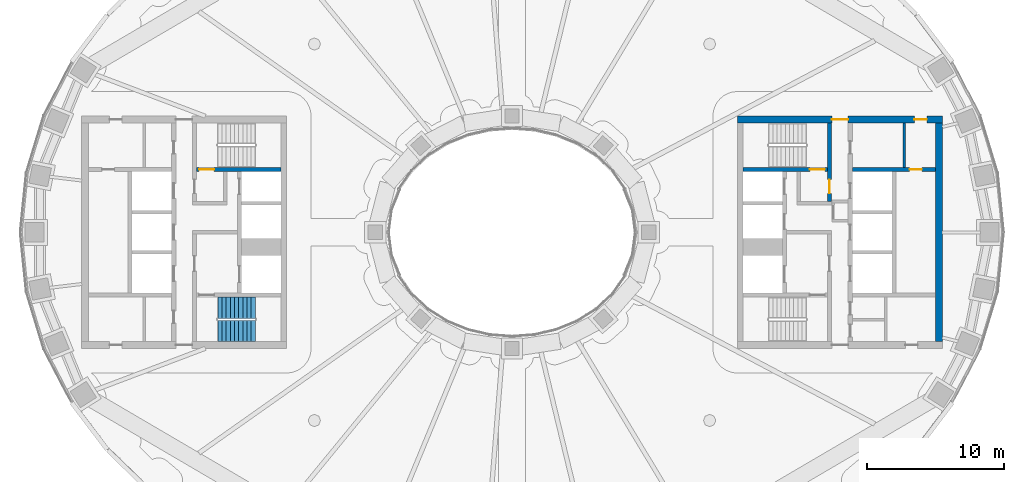
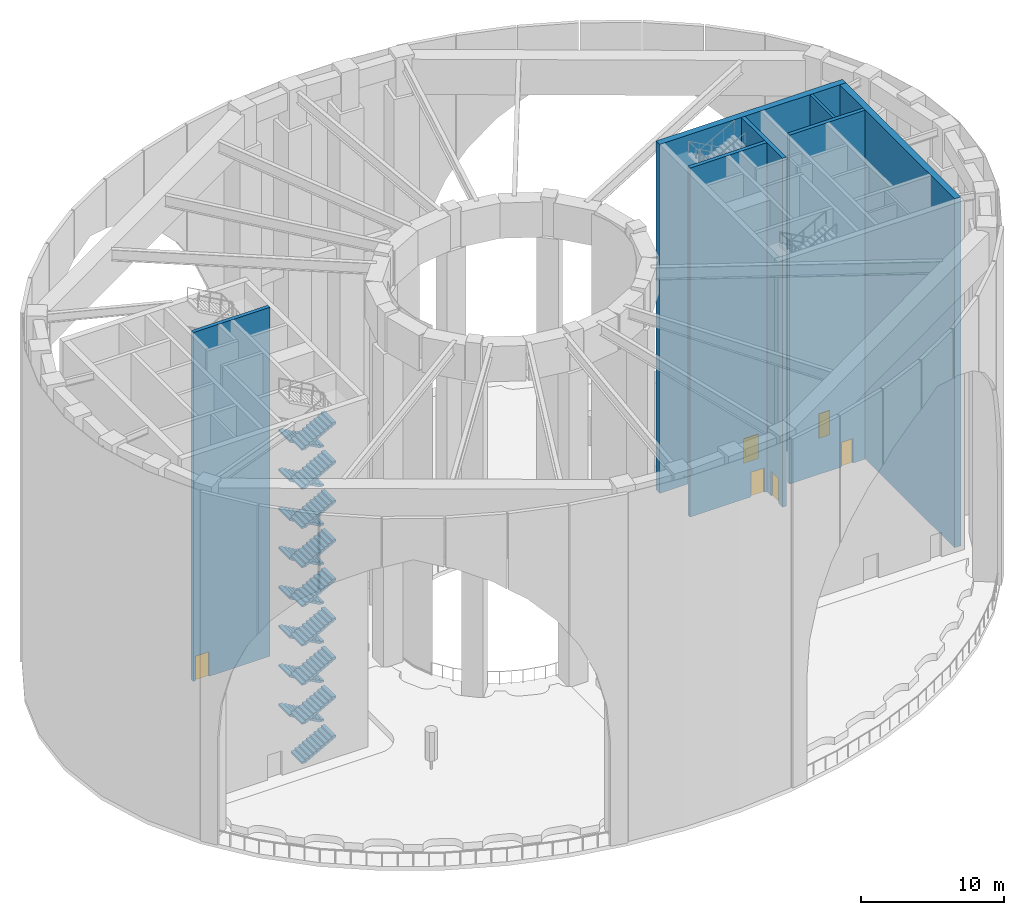
# One storey, part 5 of 26: 17 stair flights, 7 walls, 6 doors, 6 openings, 1 element without a shape of its own.
"""IFC4 building model written with IfcOpenShell, lengths in metres."""

from ifc_helpers import new_model, si_unit, direction, frame, frame_2d, origin, place, context, subcontext, project, spatial, polyline, rectangle, outline, extrude, material, layer, layer_set, type_object, element, fill, aggregate, save


model = new_model("IFC4")

# Units and contexts
model_context = context("Model", 3, precision=1e-05, world=origin(), true_north=direction((0.0, 1.0)))
body_context = subcontext(model_context, "Body", "Model", "MODEL_VIEW")
ifc_project = project(units=[si_unit("LENGTHUNIT", "METRE"), si_unit("AREAUNIT", "SQUARE_METRE"), si_unit("VOLUMEUNIT", "CUBIC_METRE"), si_unit("PLANEANGLEUNIT", "RADIAN"), si_unit("MASSUNIT", "GRAM", prefix="KILO")], contexts=[model_context])

# Site, building, storey
site_placement = place(None, origin())
site = spatial("IfcSite", under=ifc_project, at=site_placement, CompositionType="ELEMENT")
building_placement = place(site_placement, origin())
building = spatial("IfcBuilding", under=site, at=building_placement, Name="Noorbagh Ring Tower", CompositionType="ELEMENT")
storey_placement = place(building_placement, frame((0.0, 0.0, 203.5)))
storey = spatial("IfcBuildingStorey", under=building, at=storey_placement, Name="L47", CompositionType="ELEMENT", Elevation=203.5)

# Wall
ifc_material_1 = material(Name="Gypsum board on steel studs", Category="steel")
ifc_layer_1 = layer(ifc_material_1, 0.199951171875)
ifc_layer_set_1 = layer_set([ifc_layer_1], Name="Gypsum board on steel studs")
wall_type_1 = type_object("IfcWallType", Name="CORE-PARTITION-200", PredefinedType="PARTITIONING", material=ifc_layer_set_1)
wall_1_placement = place(storey_placement, frame((28.699951171875, 4.75, 0.0), z_axis=(0.0, 0.0, 1.0), x_axis=(0.0, 1.0, 0.0)))
element("IfcWall", 1, at=wall_1_placement, inside=storey, type_object=wall_type_1, Name="Core partition E", PredefinedType="PARTITIONING", context=body_context, shape_type="SweptSolid", body=[
    extrude(rectangle(XDim=3.25, YDim=0.199951171875, at=frame_2d((1.625, 0.0))), origin(), (0.0, 0.0, 1.0), 29.699951171875),
])

# Wall, opening, door
ifc_material_2 = material(Name="Concrete C60/75", Category="concrete")
ifc_layer_2 = layer(ifc_material_2, 0.300048828125)
ifc_layer_set_2 = layer_set([ifc_layer_2], Name="Concrete C60/75")
wall_type_2 = type_object("IfcWallType", Name="CORE-WALL-300-C60-75-EI240", PredefinedType="SHEAR", material=ifc_layer_set_2)
wall_2_placement = place(storey_placement, frame((-16.89990234375, 4.60009765625, 0.0), z_axis=(0.0, 0.0, 1.0), x_axis=(-1.0, 0.0, 0.0)))
wall_2 = element("IfcWall", 2, at=wall_2_placement, inside=storey, type_object=wall_type_2, Name="Core wall W", PredefinedType="SHEAR", context=body_context, shape_type="SweptSolid", body=[
    extrude(rectangle(XDim=6.18017578125, YDim=0.300048828125, at=frame_2d((3.090087890625, 0.0))), origin(), (0.0, 0.0, 1.0), 29.699951171875),
])
opening_1_placement = place(wall_2_placement, frame((4.89990234375, 0.0, 0.0)))
opening_1 = element("IfcOpeningElement", 3, at=opening_1_placement, cuts=wall_2, Name="Opening L47-CW06", PredefinedType="OPENING", context=body_context, shape_type="SweptSolid", body=[
    extrude(rectangle(XDim=1.10009765625, YDim=2.10009765625, at=frame_2d((0.550048828125, 1.050048828125))), frame((0.0, 0.16015625, 0.0), z_axis=(0.0, -1.0, 0.0), x_axis=(1.0, 0.0, 0.0)), (0.0, 0.0, 1.0), 0.320068359375),
])
ifc_material_3 = material(Name="Steel door leaf", Category="steel")
door_type_1 = type_object("IfcDoorType", Name="CORE-DOOR-DSTAIR", OperationType="SINGLE_SWING_LEFT", PredefinedType="DOOR", material=ifc_material_3)
door_1_placement = place(opening_1_placement, origin())
door_1 = element("IfcDoor", 4, at=door_1_placement, inside=storey, type_object=door_type_1, Name="Stair door ST1 L47-CW06", OperationType="SINGLE_SWING_RIGHT", OverallHeight=2.10009765625, OverallWidth=1.10009765625, PredefinedType="DOOR", context=body_context, shape_type="SweptSolid", body=[
    extrude(rectangle(XDim=1.10009765625, YDim=2.10009765625, at=frame_2d((0.550048828125, 1.050048828125))), frame((0.0, 0.02490234375, 0.0), z_axis=(0.0, -1.0, 0.0), x_axis=(1.0, 0.0, 0.0)), (0.0, 0.0, 1.0), 0.050048828125),
])
fill(opening_1, door_1)

wall_3_placement = place(storey_placement, frame((24.89990234375, 4.60009765625, 0.0), z_axis=(0.0, 0.0, 1.0), x_axis=(1.0, 0.0, 0.0)))
wall_3 = element("IfcWall", 5, at=wall_3_placement, inside=storey, type_object=wall_type_2, Name="Core wall E", PredefinedType="SHEAR", context=body_context, shape_type="SweptSolid", body=[
    extrude(rectangle(XDim=6.10009765625, YDim=0.300048828125, at=frame_2d((3.050048828125, 0.0))), origin(), (0.0, 0.0, 1.0), 29.699951171875),
])
opening_2_placement = place(wall_3_placement, frame((4.199951171875, 0.0, 0.0)))
opening_2 = element("IfcOpeningElement", 6, at=opening_2_placement, cuts=wall_3, Name="Opening L47-CE19", PredefinedType="OPENING", context=body_context, shape_type="SweptSolid", body=[
    extrude(rectangle(XDim=0.89990234375, YDim=2.10009765625, at=frame_2d((0.449951171875, 1.050048828125))), frame((0.0, 0.16015625, 0.0), z_axis=(0.0, -1.0, 0.0), x_axis=(1.0, 0.0, 0.0)), (0.0, 0.0, 1.0), 0.320068359375),
])
ifc_material_4 = material(Name="Steel door leaf", Category="steel")
door_type_2 = type_object("IfcDoorType", Name="CORE-DOOR-DROOM", OperationType="SINGLE_SWING_LEFT", PredefinedType="DOOR", material=ifc_material_4)
door_2_placement = place(opening_2_placement, origin())
door_2 = element("IfcDoor", 7, at=door_2_placement, inside=storey, type_object=door_type_2, Name="Core room door L47-CE19", OperationType="SINGLE_SWING_RIGHT", OverallHeight=2.10009765625, OverallWidth=0.89990234375, PredefinedType="DOOR", context=body_context, shape_type="SweptSolid", body=[
    extrude(rectangle(XDim=0.89990234375, YDim=2.10009765625, at=frame_2d((0.449951171875, 1.050048828125))), frame((0.0, 0.02490234375, 0.0), z_axis=(0.0, -1.0, 0.0), x_axis=(1.0, 0.0, 0.0)), (0.0, 0.0, 1.0), 0.050048828125),
])
fill(opening_2, door_2)

wall_4_placement = place(storey_placement, frame((23.22998046875, 2.25, 0.0), z_axis=(0.0, 0.0, 1.0), x_axis=(0.0, 1.0, 0.0)))
wall_4 = element("IfcWall", 8, at=wall_4_placement, inside=storey, type_object=wall_type_2, Name="Core wall E", PredefinedType="SHEAR", context=body_context, shape_type="SweptSolid", body=[
    extrude(rectangle(XDim=5.75, YDim=0.300048828125, at=frame_2d((2.875, 0.0))), origin(), (0.0, 0.0, 1.0), 29.699951171875),
])
opening_3_placement = place(wall_4_placement, frame((0.60009765625, 0.0, 0.0)))
opening_3 = element("IfcOpeningElement", 9, at=opening_3_placement, cuts=wall_4, Name="Opening L47-CE10", PredefinedType="OPENING", context=body_context, shape_type="SweptSolid", body=[
    extrude(rectangle(XDim=1.0, YDim=2.10009765625, at=frame_2d((0.5, 1.050048828125))), frame((0.0, 0.16015625, 0.0), z_axis=(0.0, -1.0, 0.0), x_axis=(1.0, 0.0, 0.0)), (0.0, 0.0, 1.0), 0.320068359375),
])
ifc_material_5 = material(Name="Steel door leaf", Category="steel")
door_type_3 = type_object("IfcDoorType", Name="CORE-DOOR-DVEST", OperationType="SINGLE_SWING_LEFT", PredefinedType="DOOR", material=ifc_material_5)
door_3_placement = place(opening_3_placement, origin())
door_3 = element("IfcDoor", 10, at=door_3_placement, inside=storey, type_object=door_type_3, Name="Stair vestibule door L47-CE10", OperationType="SINGLE_SWING_RIGHT", OverallHeight=2.10009765625, OverallWidth=1.0, PredefinedType="DOOR", context=body_context, shape_type="SweptSolid", body=[
    extrude(rectangle(XDim=1.0, YDim=2.10009765625, at=frame_2d((0.5, 1.050048828125))), frame((0.0, 0.02490234375, 0.0), z_axis=(0.0, -1.0, 0.0), x_axis=(1.0, 0.0, 0.0)), (0.0, 0.0, 1.0), 0.050048828125),
])
fill(opening_3, door_3)

wall_5_placement = place(storey_placement, frame((16.89990234375, 4.60009765625, 0.0), z_axis=(0.0, 0.0, 1.0), x_axis=(1.0, 0.0, 0.0)))
wall_5 = element("IfcWall", 11, at=wall_5_placement, inside=storey, type_object=wall_type_2, Name="Core wall E", PredefinedType="SHEAR", context=body_context, shape_type="SweptSolid", body=[
    extrude(rectangle(XDim=6.18017578125, YDim=0.300048828125, at=frame_2d((3.090087890625, 0.0))), origin(), (0.0, 0.0, 1.0), 29.699951171875),
])
opening_4_placement = place(wall_5_placement, frame((4.89990234375, 0.0, 0.0)))
opening_4 = element("IfcOpeningElement", 12, at=opening_4_placement, cuts=wall_5, Name="Opening L47-CE07", PredefinedType="OPENING", context=body_context, shape_type="SweptSolid", body=[
    extrude(rectangle(XDim=1.10009765625, YDim=2.10009765625, at=frame_2d((0.550048828125, 1.050048828125))), frame((0.0, 0.16015625, 0.0), z_axis=(0.0, -1.0, 0.0), x_axis=(1.0, 0.0, 0.0)), (0.0, 0.0, 1.0), 0.320068359375),
])
door_4_placement = place(opening_4_placement, origin())
door_4 = element("IfcDoor", 13, at=door_4_placement, inside=storey, type_object=door_type_1, Name="Stair door ST3 L47-CE07", OperationType="SINGLE_SWING_LEFT", OverallHeight=2.10009765625, OverallWidth=1.10009765625, PredefinedType="DOOR", context=body_context, shape_type="SweptSolid", body=[
    extrude(rectangle(XDim=1.10009765625, YDim=2.10009765625, at=frame_2d((0.550048828125, 1.050048828125))), frame((0.0, 0.02490234375, 0.0), z_axis=(0.0, -1.0, 0.0), x_axis=(1.0, 0.0, 0.0)), (0.0, 0.0, 1.0), 0.050048828125),
])
fill(opening_4, door_4)

# Wall, openings, doors
ifc_material_6 = material(Name="Concrete C60/75", Category="concrete")
ifc_layer_3 = layer(ifc_material_6, 0.5)
ifc_layer_set_3 = layer_set([ifc_layer_3], Name="Concrete C60/75")
wall_type_3 = type_object("IfcWallType", Name="CORE-WALL-500-C60-75-EI240", PredefinedType="SHEAR", material=ifc_layer_set_3)
wall_6_placement = place(storey_placement, frame((16.5, 8.25, 0.0), z_axis=(0.0, 0.0, 1.0), x_axis=(1.0, 0.0, 0.0)))
wall_6 = element("IfcWall", 14, at=wall_6_placement, inside=storey, type_object=wall_type_3, Name="Core wall E", PredefinedType="SHEAR", context=body_context, shape_type="SweptSolid", body=[
    extrude(rectangle(XDim=15.0, YDim=0.5, at=frame_2d((7.5, 0.0))), origin(), (0.0, 0.0, 1.0), 29.699951171875),
])
opening_5_placement = place(wall_6_placement, frame((6.89990234375, 0.0, 0.0)))
opening_5 = element("IfcOpeningElement", 15, at=opening_5_placement, cuts=wall_6, Name="Opening L47-CE11", PredefinedType="OPENING", context=body_context, shape_type="SweptSolid", body=[
    extrude(rectangle(XDim=1.199951171875, YDim=2.10009765625, at=frame_2d((0.60009765625, 1.050048828125))), frame((0.0, 0.260009765625, 0.0), z_axis=(0.0, -1.0, 0.0), x_axis=(1.0, 0.0, 0.0)), (0.0, 0.0, 1.0), 0.52001953125),
])
opening_6_placement = place(wall_6_placement, frame((12.949951171875, 0.0, 0.0)))
opening_6 = element("IfcOpeningElement", 16, at=opening_6_placement, cuts=wall_6, Name="Opening L47-CE14", PredefinedType="OPENING", context=body_context, shape_type="SweptSolid", body=[
    extrude(rectangle(XDim=0.89990234375, YDim=2.10009765625, at=frame_2d((0.449951171875, 1.050048828125))), frame((0.0, 0.260009765625, 0.0), z_axis=(0.0, -1.0, 0.0), x_axis=(1.0, 0.0, 0.0)), (0.0, 0.0, 1.0), 0.52001953125),
])
door_5_placement = place(opening_6_placement, origin())
door_5 = element("IfcDoor", 17, at=door_5_placement, inside=storey, type_object=door_type_2, Name="Core room door L47-CE14", OperationType="SINGLE_SWING_LEFT", OverallHeight=2.10009765625, OverallWidth=0.89990234375, PredefinedType="DOOR", context=body_context, shape_type="SweptSolid", body=[
    extrude(rectangle(XDim=0.89990234375, YDim=2.10009765625, at=frame_2d((0.449951171875, 1.050048828125))), frame((0.0, 0.02490234375, 0.0), z_axis=(0.0, -1.0, 0.0), x_axis=(1.0, 0.0, 0.0)), (0.0, 0.0, 1.0), 0.050048828125),
])
fill(opening_6, door_5)
ifc_material_7 = material(Name="Steel door leaf", Category="steel")
door_type_4 = type_object("IfcDoorType", Name="CORE-DOOR-PORT", OperationType="DOUBLE_DOOR_DOUBLE_SWING", PredefinedType="DOOR", material=ifc_material_7)
door_6_placement = place(opening_5_placement, origin())
door_6 = element("IfcDoor", 18, at=door_6_placement, inside=storey, type_object=door_type_4, Name="Core entrance door L47-CE11", OperationType="DOUBLE_DOOR_DOUBLE_SWING", OverallHeight=2.10009765625, OverallWidth=1.199951171875, PredefinedType="DOOR", context=body_context, shape_type="SweptSolid", body=[
    extrude(rectangle(XDim=1.199951171875, YDim=2.10009765625, at=frame_2d((0.60009765625, 1.050048828125))), frame((0.0, 0.02490234375, 0.0), z_axis=(0.0, -1.0, 0.0), x_axis=(1.0, 0.0, 0.0)), (0.0, 0.0, 1.0), 0.050048828125),
])
fill(opening_5, door_6)

# Wall
wall_7_placement = place(storey_placement, frame((31.25, -8.0, 0.0), z_axis=(0.0, 0.0, 1.0), x_axis=(0.0, 1.0, 0.0)))
element("IfcWall", 19, at=wall_7_placement, inside=storey, type_object=wall_type_3, Name="Core wall E", PredefinedType="SHEAR", context=body_context, shape_type="SweptSolid", body=[
    extrude(rectangle(XDim=16.0, YDim=0.5, at=frame_2d((8.0, 0.0))), origin(), (0.0, 0.0, 1.0), 29.699951171875),
])

# Stair, stair flights
ifc_material_8 = material(Name="Concrete C40/50", Category="concrete")
stair_type = type_object("IfcStairType", Name="CORE-STAIR", PredefinedType="HALF_TURN_STAIR", material=ifc_material_8)
stair_placement = place(storey_placement, origin())
stair = element("IfcStair", 20, at=stair_placement, inside=storey, type_object=stair_type, Name="L47 Exit stair ST2", PredefinedType="HALF_TURN_STAIR")
ifc_material_9 = material(Name="Concrete C40/50", Category="concrete")
stair_flight_type = type_object("IfcStairFlightType", Name="CORE-STAIR-FLIGHT", PredefinedType="STRAIGHT", material=ifc_material_9)
stair_flight_1_placement = place(storey_placement, frame((-21.530029296875, -7.22509765625, 0.0), z_axis=(0.0, 0.0, 1.0), x_axis=(1.0, 0.0, 0.0)))
stair_flight_1 = element("IfcStairFlight", 21, at=stair_flight_1_placement, type_object=stair_flight_type, Name="ST2 flight 1", NumberOfRisers=10, NumberOfTreads=9, PredefinedType="STRAIGHT", RiserHeight=0.166666667, TreadLength=0.305, context=body_context, shape_type="SweptSolid", body=[
    extrude(outline(polyline([(0.0, 0.0), (0.0, 0.166748046875), (0.304931640625, 0.166748046875), (0.304931640625, 0.333251953125), (0.610107421875, 0.333251953125), (0.610107421875, 0.5), (0.9150390625, 0.5), (0.9150390625, 0.666748046875), (1.219970703125, 0.666748046875), (1.219970703125, 0.833251953125), (1.52490234375, 0.833251953125), (1.52490234375, 1.0), (1.830078125, 1.0), (1.830078125, 1.166748046875), (2.135009765625, 1.166748046875), (2.135009765625, 1.333251953125), (2.43994140625, 1.333251953125), (2.43994140625, 1.5), (2.7451171875, 1.5), (2.7451171875, 1.666748046875), (2.7451171875, 1.3291015625), (0.3125, 0.0), (0.0, 0.0)])), frame((0.0, 0.77490234375, 0.0), z_axis=(0.0, -1.0, 0.0), x_axis=(1.0, 0.0, 0.0)), (0.0, 0.0, 1.0), 1.550048828125),
])
stair_flight_2_placement = place(storey_placement, frame((-18.784912109375, -5.52490234375, 1.666748046875), z_axis=(0.0, 0.0, 1.0), x_axis=(-1.0, 0.0, 0.0)))
stair_flight_2 = element("IfcStairFlight", 22, at=stair_flight_2_placement, type_object=stair_flight_type, Name="ST2 flight 2", NumberOfRisers=10, NumberOfTreads=9, PredefinedType="STRAIGHT", RiserHeight=0.166666667, TreadLength=0.305, context=body_context, shape_type="SweptSolid", body=[
    extrude(outline(polyline([(0.0, 0.0), (0.0, 0.166748046875), (0.304931640625, 0.166748046875), (0.304931640625, 0.333251953125), (0.610107421875, 0.333251953125), (0.610107421875, 0.5), (0.9150390625, 0.5), (0.9150390625, 0.666748046875), (1.219970703125, 0.666748046875), (1.219970703125, 0.833251953125), (1.52490234375, 0.833251953125), (1.52490234375, 1.0), (1.830078125, 1.0), (1.830078125, 1.166748046875), (2.135009765625, 1.166748046875), (2.135009765625, 1.333251953125), (2.43994140625, 1.333251953125), (2.43994140625, 1.5), (2.7451171875, 1.5), (2.7451171875, 1.666748046875), (2.7451171875, 1.3291015625), (0.3125, 0.0), (0.0, 0.0)])), frame((0.0, 0.77490234375, 0.0), z_axis=(0.0, -1.0, 0.0), x_axis=(1.0, 0.0, 0.0)), (0.0, 0.0, 1.0), 1.550048828125),
])
stair_flight_3_placement = place(storey_placement, frame((-21.530029296875, -7.22509765625, 3.333251953125), z_axis=(0.0, 0.0, 1.0), x_axis=(1.0, 0.0, 0.0)))
stair_flight_3 = element("IfcStairFlight", 23, at=stair_flight_3_placement, type_object=stair_flight_type, Name="ST2 flight 3", NumberOfRisers=10, NumberOfTreads=9, PredefinedType="STRAIGHT", RiserHeight=0.166666667, TreadLength=0.305, context=body_context, shape_type="SweptSolid", body=[
    extrude(outline(polyline([(0.0, 0.0), (0.0, 0.166748046875), (0.304931640625, 0.166748046875), (0.304931640625, 0.333251953125), (0.610107421875, 0.333251953125), (0.610107421875, 0.5), (0.9150390625, 0.5), (0.9150390625, 0.666748046875), (1.219970703125, 0.666748046875), (1.219970703125, 0.833251953125), (1.52490234375, 0.833251953125), (1.52490234375, 1.0), (1.830078125, 1.0), (1.830078125, 1.166748046875), (2.135009765625, 1.166748046875), (2.135009765625, 1.333251953125), (2.43994140625, 1.333251953125), (2.43994140625, 1.5), (2.7451171875, 1.5), (2.7451171875, 1.666748046875), (2.7451171875, 1.3291015625), (0.3125, 0.0), (0.0, 0.0)])), frame((0.0, 0.77490234375, 0.0), z_axis=(0.0, -1.0, 0.0), x_axis=(1.0, 0.0, 0.0)), (0.0, 0.0, 1.0), 1.550048828125),
])
stair_flight_4_placement = place(storey_placement, frame((-18.784912109375, -5.52490234375, 5.0), z_axis=(0.0, 0.0, 1.0), x_axis=(-1.0, 0.0, 0.0)))
stair_flight_4 = element("IfcStairFlight", 24, at=stair_flight_4_placement, type_object=stair_flight_type, Name="ST2 flight 4", NumberOfRisers=10, NumberOfTreads=9, PredefinedType="STRAIGHT", RiserHeight=0.166666667, TreadLength=0.305, context=body_context, shape_type="SweptSolid", body=[
    extrude(outline(polyline([(0.0, 0.0), (0.0, 0.166748046875), (0.304931640625, 0.166748046875), (0.304931640625, 0.333251953125), (0.610107421875, 0.333251953125), (0.610107421875, 0.5), (0.9150390625, 0.5), (0.9150390625, 0.666748046875), (1.219970703125, 0.666748046875), (1.219970703125, 0.833251953125), (1.52490234375, 0.833251953125), (1.52490234375, 1.0), (1.830078125, 1.0), (1.830078125, 1.166748046875), (2.135009765625, 1.166748046875), (2.135009765625, 1.333251953125), (2.43994140625, 1.333251953125), (2.43994140625, 1.5), (2.7451171875, 1.5), (2.7451171875, 1.666748046875), (2.7451171875, 1.3291015625), (0.3125, 0.0), (0.0, 0.0)])), frame((0.0, 0.77490234375, 0.0), z_axis=(0.0, -1.0, 0.0), x_axis=(1.0, 0.0, 0.0)), (0.0, 0.0, 1.0), 1.550048828125),
])
stair_flight_5_placement = place(storey_placement, frame((-21.530029296875, -7.22509765625, 6.666748046875), z_axis=(0.0, 0.0, 1.0), x_axis=(1.0, 0.0, 0.0)))
stair_flight_5 = element("IfcStairFlight", 25, at=stair_flight_5_placement, type_object=stair_flight_type, Name="ST2 flight 5", NumberOfRisers=10, NumberOfTreads=9, PredefinedType="STRAIGHT", RiserHeight=0.166666667, TreadLength=0.305, context=body_context, shape_type="SweptSolid", body=[
    extrude(outline(polyline([(0.0, 0.0), (0.0, 0.166748046875), (0.304931640625, 0.166748046875), (0.304931640625, 0.333251953125), (0.610107421875, 0.333251953125), (0.610107421875, 0.5), (0.9150390625, 0.5), (0.9150390625, 0.666748046875), (1.219970703125, 0.666748046875), (1.219970703125, 0.833251953125), (1.52490234375, 0.833251953125), (1.52490234375, 1.0), (1.830078125, 1.0), (1.830078125, 1.166748046875), (2.135009765625, 1.166748046875), (2.135009765625, 1.333251953125), (2.43994140625, 1.333251953125), (2.43994140625, 1.5), (2.7451171875, 1.5), (2.7451171875, 1.666748046875), (2.7451171875, 1.3291015625), (0.3125, 0.0), (0.0, 0.0)])), frame((0.0, 0.77490234375, 0.0), z_axis=(0.0, -1.0, 0.0), x_axis=(1.0, 0.0, 0.0)), (0.0, 0.0, 1.0), 1.550048828125),
])
stair_flight_6_placement = place(storey_placement, frame((-18.784912109375, -5.52490234375, 8.333251953125), z_axis=(0.0, 0.0, 1.0), x_axis=(-1.0, 0.0, 0.0)))
stair_flight_6 = element("IfcStairFlight", 26, at=stair_flight_6_placement, type_object=stair_flight_type, Name="ST2 flight 6", NumberOfRisers=10, NumberOfTreads=9, PredefinedType="STRAIGHT", RiserHeight=0.166666667, TreadLength=0.305, context=body_context, shape_type="SweptSolid", body=[
    extrude(outline(polyline([(0.0, 0.0), (0.0, 0.166748046875), (0.304931640625, 0.166748046875), (0.304931640625, 0.333251953125), (0.610107421875, 0.333251953125), (0.610107421875, 0.5), (0.9150390625, 0.5), (0.9150390625, 0.666748046875), (1.219970703125, 0.666748046875), (1.219970703125, 0.833251953125), (1.52490234375, 0.833251953125), (1.52490234375, 1.0), (1.830078125, 1.0), (1.830078125, 1.166748046875), (2.135009765625, 1.166748046875), (2.135009765625, 1.333251953125), (2.43994140625, 1.333251953125), (2.43994140625, 1.5), (2.7451171875, 1.5), (2.7451171875, 1.666748046875), (2.7451171875, 1.3291015625), (0.3125, 0.0), (0.0, 0.0)])), frame((0.0, 0.77490234375, 0.0), z_axis=(0.0, -1.0, 0.0), x_axis=(1.0, 0.0, 0.0)), (0.0, 0.0, 1.0), 1.550048828125),
])
stair_flight_7_placement = place(storey_placement, frame((-21.530029296875, -7.22509765625, 10.0), z_axis=(0.0, 0.0, 1.0), x_axis=(1.0, 0.0, 0.0)))
stair_flight_7 = element("IfcStairFlight", 27, at=stair_flight_7_placement, type_object=stair_flight_type, Name="ST2 flight 7", NumberOfRisers=10, NumberOfTreads=9, PredefinedType="STRAIGHT", RiserHeight=0.166666667, TreadLength=0.305, context=body_context, shape_type="SweptSolid", body=[
    extrude(outline(polyline([(0.0, 0.0), (0.0, 0.166748046875), (0.304931640625, 0.166748046875), (0.304931640625, 0.333251953125), (0.610107421875, 0.333251953125), (0.610107421875, 0.5), (0.9150390625, 0.5), (0.9150390625, 0.666748046875), (1.219970703125, 0.666748046875), (1.219970703125, 0.833251953125), (1.52490234375, 0.833251953125), (1.52490234375, 1.0), (1.830078125, 1.0), (1.830078125, 1.166748046875), (2.135009765625, 1.166748046875), (2.135009765625, 1.333251953125), (2.43994140625, 1.333251953125), (2.43994140625, 1.5), (2.7451171875, 1.5), (2.7451171875, 1.666748046875), (2.7451171875, 1.3291015625), (0.3125, 0.0), (0.0, 0.0)])), frame((0.0, 0.77490234375, 0.0), z_axis=(0.0, -1.0, 0.0), x_axis=(1.0, 0.0, 0.0)), (0.0, 0.0, 1.0), 1.550048828125),
])
stair_flight_8_placement = place(storey_placement, frame((-18.784912109375, -5.52490234375, 11.666748046875), z_axis=(0.0, 0.0, 1.0), x_axis=(-1.0, 0.0, 0.0)))
stair_flight_8 = element("IfcStairFlight", 28, at=stair_flight_8_placement, type_object=stair_flight_type, Name="ST2 flight 8", NumberOfRisers=10, NumberOfTreads=9, PredefinedType="STRAIGHT", RiserHeight=0.166666667, TreadLength=0.305, context=body_context, shape_type="SweptSolid", body=[
    extrude(outline(polyline([(0.0, 0.0), (0.0, 0.166748046875), (0.304931640625, 0.166748046875), (0.304931640625, 0.333251953125), (0.610107421875, 0.333251953125), (0.610107421875, 0.5), (0.9150390625, 0.5), (0.9150390625, 0.666748046875), (1.219970703125, 0.666748046875), (1.219970703125, 0.833251953125), (1.52490234375, 0.833251953125), (1.52490234375, 1.0), (1.830078125, 1.0), (1.830078125, 1.166748046875), (2.135009765625, 1.166748046875), (2.135009765625, 1.333251953125), (2.43994140625, 1.333251953125), (2.43994140625, 1.5), (2.7451171875, 1.5), (2.7451171875, 1.666748046875), (2.7451171875, 1.3291015625), (0.3125, 0.0), (0.0, 0.0)])), frame((0.0, 0.77490234375, 0.0), z_axis=(0.0, -1.0, 0.0), x_axis=(1.0, 0.0, 0.0)), (0.0, 0.0, 1.0), 1.550048828125),
])
stair_flight_9_placement = place(storey_placement, frame((-21.530029296875, -7.22509765625, 13.333251953125), z_axis=(0.0, 0.0, 1.0), x_axis=(1.0, 0.0, 0.0)))
stair_flight_9 = element("IfcStairFlight", 29, at=stair_flight_9_placement, type_object=stair_flight_type, Name="ST2 flight 9", NumberOfRisers=10, NumberOfTreads=9, PredefinedType="STRAIGHT", RiserHeight=0.166666667, TreadLength=0.305, context=body_context, shape_type="SweptSolid", body=[
    extrude(outline(polyline([(0.0, 0.0), (0.0, 0.166748046875), (0.304931640625, 0.166748046875), (0.304931640625, 0.333251953125), (0.610107421875, 0.333251953125), (0.610107421875, 0.5), (0.9150390625, 0.5), (0.9150390625, 0.666748046875), (1.219970703125, 0.666748046875), (1.219970703125, 0.833251953125), (1.52490234375, 0.833251953125), (1.52490234375, 1.0), (1.830078125, 1.0), (1.830078125, 1.166748046875), (2.135009765625, 1.166748046875), (2.135009765625, 1.333251953125), (2.43994140625, 1.333251953125), (2.43994140625, 1.5), (2.7451171875, 1.5), (2.7451171875, 1.666748046875), (2.7451171875, 1.3291015625), (0.3125, 0.0), (0.0, 0.0)])), frame((0.0, 0.77490234375, 0.0), z_axis=(0.0, -1.0, 0.0), x_axis=(1.0, 0.0, 0.0)), (0.0, 0.0, 1.0), 1.550048828125),
])
stair_flight_10_placement = place(storey_placement, frame((-18.784912109375, -5.52490234375, 15.0), z_axis=(0.0, 0.0, 1.0), x_axis=(-1.0, 0.0, 0.0)))
stair_flight_10 = element("IfcStairFlight", 30, at=stair_flight_10_placement, type_object=stair_flight_type, Name="ST2 flight 10", NumberOfRisers=10, NumberOfTreads=9, PredefinedType="STRAIGHT", RiserHeight=0.166666667, TreadLength=0.305, context=body_context, shape_type="SweptSolid", body=[
    extrude(outline(polyline([(0.0, 0.0), (0.0, 0.166748046875), (0.304931640625, 0.166748046875), (0.304931640625, 0.333251953125), (0.610107421875, 0.333251953125), (0.610107421875, 0.5), (0.9150390625, 0.5), (0.9150390625, 0.666748046875), (1.219970703125, 0.666748046875), (1.219970703125, 0.833251953125), (1.52490234375, 0.833251953125), (1.52490234375, 1.0), (1.830078125, 1.0), (1.830078125, 1.166748046875), (2.135009765625, 1.166748046875), (2.135009765625, 1.333251953125), (2.43994140625, 1.333251953125), (2.43994140625, 1.5), (2.7451171875, 1.5), (2.7451171875, 1.666748046875), (2.7451171875, 1.3291015625), (0.3125, 0.0), (0.0, 0.0)])), frame((0.0, 0.77490234375, 0.0), z_axis=(0.0, -1.0, 0.0), x_axis=(1.0, 0.0, 0.0)), (0.0, 0.0, 1.0), 1.550048828125),
])
stair_flight_11_placement = place(storey_placement, frame((-21.530029296875, -7.22509765625, 16.666748046875), z_axis=(0.0, 0.0, 1.0), x_axis=(1.0, 0.0, 0.0)))
stair_flight_11 = element("IfcStairFlight", 31, at=stair_flight_11_placement, type_object=stair_flight_type, Name="ST2 flight 11", NumberOfRisers=10, NumberOfTreads=9, PredefinedType="STRAIGHT", RiserHeight=0.166666667, TreadLength=0.305, context=body_context, shape_type="SweptSolid", body=[
    extrude(outline(polyline([(0.0, 0.0), (0.0, 0.166748046875), (0.304931640625, 0.166748046875), (0.304931640625, 0.333251953125), (0.610107421875, 0.333251953125), (0.610107421875, 0.5), (0.9150390625, 0.5), (0.9150390625, 0.666748046875), (1.219970703125, 0.666748046875), (1.219970703125, 0.833251953125), (1.52490234375, 0.833251953125), (1.52490234375, 1.0), (1.830078125, 1.0), (1.830078125, 1.166748046875), (2.135009765625, 1.166748046875), (2.135009765625, 1.333251953125), (2.43994140625, 1.333251953125), (2.43994140625, 1.5), (2.7451171875, 1.5), (2.7451171875, 1.666748046875), (2.7451171875, 1.3291015625), (0.3125, 0.0), (0.0, 0.0)])), frame((0.0, 0.77490234375, 0.0), z_axis=(0.0, -1.0, 0.0), x_axis=(1.0, 0.0, 0.0)), (0.0, 0.0, 1.0), 1.550048828125),
])
stair_flight_12_placement = place(storey_placement, frame((-18.784912109375, -5.52490234375, 18.333251953125), z_axis=(0.0, 0.0, 1.0), x_axis=(-1.0, 0.0, 0.0)))
stair_flight_12 = element("IfcStairFlight", 32, at=stair_flight_12_placement, type_object=stair_flight_type, Name="ST2 flight 12", NumberOfRisers=10, NumberOfTreads=9, PredefinedType="STRAIGHT", RiserHeight=0.166666667, TreadLength=0.305, context=body_context, shape_type="SweptSolid", body=[
    extrude(outline(polyline([(0.0, 0.0), (0.0, 0.166748046875), (0.304931640625, 0.166748046875), (0.304931640625, 0.333251953125), (0.610107421875, 0.333251953125), (0.610107421875, 0.5), (0.9150390625, 0.5), (0.9150390625, 0.666748046875), (1.219970703125, 0.666748046875), (1.219970703125, 0.833251953125), (1.52490234375, 0.833251953125), (1.52490234375, 1.0), (1.830078125, 1.0), (1.830078125, 1.166748046875), (2.135009765625, 1.166748046875), (2.135009765625, 1.333251953125), (2.43994140625, 1.333251953125), (2.43994140625, 1.5), (2.7451171875, 1.5), (2.7451171875, 1.666748046875), (2.7451171875, 1.3291015625), (0.3125, 0.0), (0.0, 0.0)])), frame((0.0, 0.77490234375, 0.0), z_axis=(0.0, -1.0, 0.0), x_axis=(1.0, 0.0, 0.0)), (0.0, 0.0, 1.0), 1.550048828125),
])
stair_flight_13_placement = place(storey_placement, frame((-21.530029296875, -7.22509765625, 20.0), z_axis=(0.0, 0.0, 1.0), x_axis=(1.0, 0.0, 0.0)))
stair_flight_13 = element("IfcStairFlight", 33, at=stair_flight_13_placement, type_object=stair_flight_type, Name="ST2 flight 13", NumberOfRisers=10, NumberOfTreads=9, PredefinedType="STRAIGHT", RiserHeight=0.166666667, TreadLength=0.305, context=body_context, shape_type="SweptSolid", body=[
    extrude(outline(polyline([(0.0, 0.0), (0.0, 0.166748046875), (0.304931640625, 0.166748046875), (0.304931640625, 0.333251953125), (0.610107421875, 0.333251953125), (0.610107421875, 0.5), (0.9150390625, 0.5), (0.9150390625, 0.666748046875), (1.219970703125, 0.666748046875), (1.219970703125, 0.833251953125), (1.52490234375, 0.833251953125), (1.52490234375, 1.0), (1.830078125, 1.0), (1.830078125, 1.166748046875), (2.135009765625, 1.166748046875), (2.135009765625, 1.333251953125), (2.43994140625, 1.333251953125), (2.43994140625, 1.5), (2.7451171875, 1.5), (2.7451171875, 1.666748046875), (2.7451171875, 1.3291015625), (0.3125, 0.0), (0.0, 0.0)])), frame((0.0, 0.77490234375, 0.0), z_axis=(0.0, -1.0, 0.0), x_axis=(1.0, 0.0, 0.0)), (0.0, 0.0, 1.0), 1.550048828125),
])
stair_flight_14_placement = place(storey_placement, frame((-18.784912109375, -5.52490234375, 21.666748046875), z_axis=(0.0, 0.0, 1.0), x_axis=(-1.0, 0.0, 0.0)))
stair_flight_14 = element("IfcStairFlight", 34, at=stair_flight_14_placement, type_object=stair_flight_type, Name="ST2 flight 14", NumberOfRisers=10, NumberOfTreads=9, PredefinedType="STRAIGHT", RiserHeight=0.166666667, TreadLength=0.305, context=body_context, shape_type="SweptSolid", body=[
    extrude(outline(polyline([(0.0, 0.0), (0.0, 0.166748046875), (0.304931640625, 0.166748046875), (0.304931640625, 0.333251953125), (0.610107421875, 0.333251953125), (0.610107421875, 0.5), (0.9150390625, 0.5), (0.9150390625, 0.666748046875), (1.219970703125, 0.666748046875), (1.219970703125, 0.833251953125), (1.52490234375, 0.833251953125), (1.52490234375, 1.0), (1.830078125, 1.0), (1.830078125, 1.166748046875), (2.135009765625, 1.166748046875), (2.135009765625, 1.333251953125), (2.43994140625, 1.333251953125), (2.43994140625, 1.5), (2.7451171875, 1.5), (2.7451171875, 1.666748046875), (2.7451171875, 1.3291015625), (0.3125, 0.0), (0.0, 0.0)])), frame((0.0, 0.77490234375, 0.0), z_axis=(0.0, -1.0, 0.0), x_axis=(1.0, 0.0, 0.0)), (0.0, 0.0, 1.0), 1.550048828125),
])
stair_flight_15_placement = place(storey_placement, frame((-21.530029296875, -7.22509765625, 23.333251953125), z_axis=(0.0, 0.0, 1.0), x_axis=(1.0, 0.0, 0.0)))
stair_flight_15 = element("IfcStairFlight", 35, at=stair_flight_15_placement, type_object=stair_flight_type, Name="ST2 flight 15", NumberOfRisers=10, NumberOfTreads=9, PredefinedType="STRAIGHT", RiserHeight=0.166666667, TreadLength=0.305, context=body_context, shape_type="SweptSolid", body=[
    extrude(outline(polyline([(0.0, 0.0), (0.0, 0.166748046875), (0.304931640625, 0.166748046875), (0.304931640625, 0.333251953125), (0.610107421875, 0.333251953125), (0.610107421875, 0.5), (0.9150390625, 0.5), (0.9150390625, 0.666748046875), (1.219970703125, 0.666748046875), (1.219970703125, 0.833251953125), (1.52490234375, 0.833251953125), (1.52490234375, 1.0), (1.830078125, 1.0), (1.830078125, 1.166748046875), (2.135009765625, 1.166748046875), (2.135009765625, 1.333251953125), (2.43994140625, 1.333251953125), (2.43994140625, 1.5), (2.7451171875, 1.5), (2.7451171875, 1.666748046875), (2.7451171875, 1.3291015625), (0.3125, 0.0), (0.0, 0.0)])), frame((0.0, 0.77490234375, 0.0), z_axis=(0.0, -1.0, 0.0), x_axis=(1.0, 0.0, 0.0)), (0.0, 0.0, 1.0), 1.550048828125),
])
stair_flight_16_placement = place(storey_placement, frame((-18.784912109375, -5.52490234375, 25.0), z_axis=(0.0, 0.0, 1.0), x_axis=(-1.0, 0.0, 0.0)))
stair_flight_16 = element("IfcStairFlight", 36, at=stair_flight_16_placement, type_object=stair_flight_type, Name="ST2 flight 16", NumberOfRisers=10, NumberOfTreads=9, PredefinedType="STRAIGHT", RiserHeight=0.166666667, TreadLength=0.305, context=body_context, shape_type="SweptSolid", body=[
    extrude(outline(polyline([(0.0, 0.0), (0.0, 0.166748046875), (0.304931640625, 0.166748046875), (0.304931640625, 0.333251953125), (0.610107421875, 0.333251953125), (0.610107421875, 0.5), (0.9150390625, 0.5), (0.9150390625, 0.666748046875), (1.219970703125, 0.666748046875), (1.219970703125, 0.833251953125), (1.52490234375, 0.833251953125), (1.52490234375, 1.0), (1.830078125, 1.0), (1.830078125, 1.166748046875), (2.135009765625, 1.166748046875), (2.135009765625, 1.333251953125), (2.43994140625, 1.333251953125), (2.43994140625, 1.5), (2.7451171875, 1.5), (2.7451171875, 1.666748046875), (2.7451171875, 1.3291015625), (0.3125, 0.0), (0.0, 0.0)])), frame((0.0, 0.77490234375, 0.0), z_axis=(0.0, -1.0, 0.0), x_axis=(1.0, 0.0, 0.0)), (0.0, 0.0, 1.0), 1.550048828125),
])
stair_flight_17_placement = place(storey_placement, frame((-21.530029296875, -7.22509765625, 26.666748046875), z_axis=(0.0, 0.0, 1.0), x_axis=(1.0, 0.0, 0.0)))
stair_flight_17 = element("IfcStairFlight", 37, at=stair_flight_17_placement, type_object=stair_flight_type, Name="ST2 flight 17", NumberOfRisers=10, NumberOfTreads=9, PredefinedType="STRAIGHT", RiserHeight=0.166666667, TreadLength=0.305, context=body_context, shape_type="SweptSolid", body=[
    extrude(outline(polyline([(0.0, 0.0), (0.0, 0.166748046875), (0.304931640625, 0.166748046875), (0.304931640625, 0.333251953125), (0.610107421875, 0.333251953125), (0.610107421875, 0.5), (0.9150390625, 0.5), (0.9150390625, 0.666748046875), (1.219970703125, 0.666748046875), (1.219970703125, 0.833251953125), (1.52490234375, 0.833251953125), (1.52490234375, 1.0), (1.830078125, 1.0), (1.830078125, 1.166748046875), (2.135009765625, 1.166748046875), (2.135009765625, 1.333251953125), (2.43994140625, 1.333251953125), (2.43994140625, 1.5), (2.7451171875, 1.5), (2.7451171875, 1.666748046875), (2.7451171875, 1.3291015625), (0.3125, 0.0), (0.0, 0.0)])), frame((0.0, 0.77490234375, 0.0), z_axis=(0.0, -1.0, 0.0), x_axis=(1.0, 0.0, 0.0)), (0.0, 0.0, 1.0), 1.550048828125),
])
aggregate(stair, [stair_flight_1, stair_flight_2, stair_flight_3, stair_flight_4, stair_flight_5, stair_flight_6, stair_flight_7, stair_flight_8, stair_flight_9, stair_flight_10, stair_flight_11, stair_flight_12, stair_flight_13, stair_flight_14, stair_flight_15, stair_flight_16, stair_flight_17])

save(model, "model.ifc")
